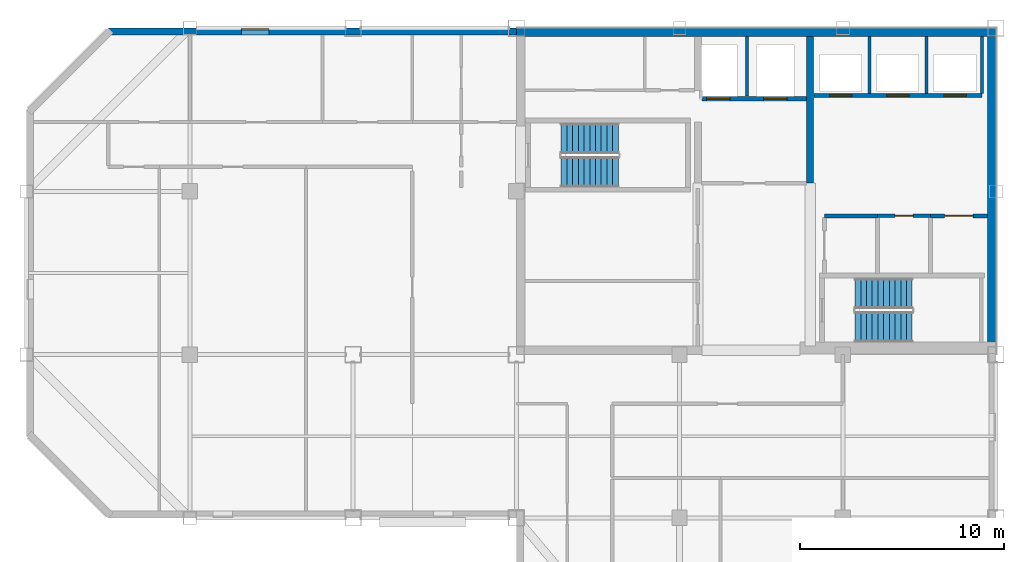
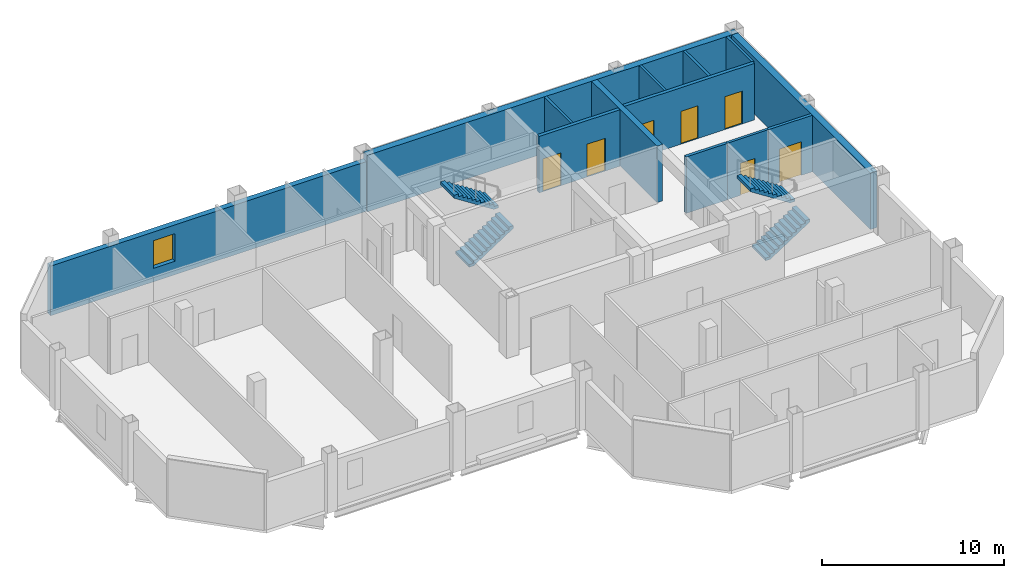
# One storey, part 4 of 7: 13 walls, 7 doors, 4 stair flights, 1 window, 8 openings, 2 elements without a shape of their own.
"""IFC4 building model written with IfcOpenShell, lengths in metres."""

from ifc_helpers import new_model, si_unit, direction, frame, frame_2d, origin, place, context, subcontext, project, spatial, polyline, rectangle, outline, extrude, material, layer, layer_set, type_object, element, fill, aggregate, save


model = new_model("IFC4")

# Units and contexts
model_context = context("Model", 3, precision=1e-05, world=origin(), true_north=direction((0.0, 1.0)))
body_context = subcontext(model_context, "Body", "Model", "MODEL_VIEW")
ifc_project = project(units=[si_unit("LENGTHUNIT", "METRE"), si_unit("AREAUNIT", "SQUARE_METRE"), si_unit("VOLUMEUNIT", "CUBIC_METRE"), si_unit("PLANEANGLEUNIT", "RADIAN"), si_unit("MASSUNIT", "GRAM", prefix="KILO")], contexts=[model_context])

# Site, building, storey
site_placement = place(None, origin())
site = spatial("IfcSite", under=ifc_project, at=site_placement, CompositionType="ELEMENT")
building_placement = place(site_placement, origin())
building = spatial("IfcBuilding", under=site, at=building_placement, Name="Qianrong Seaharbour Tower", CompositionType="ELEMENT")
storey_placement = place(building_placement, frame((0.0, 0.0, 355.199951171875)))
storey = spatial("IfcBuildingStorey", under=building, at=storey_placement, Name="L86", CompositionType="ELEMENT", Elevation=355.199951171875)

# Walls
ifc_material_1 = material(Name="Concrete C50/60", Category="concrete")
ifc_layer_1 = layer(ifc_material_1, 0.419921875)
ifc_layer_set_1 = layer_set([ifc_layer_1], Name="Concrete C50/60")
wall_type_1 = type_object("IfcWallType", Name="WALL-CORE-420", PredefinedType="SHEAR", material=ifc_layer_set_1)
wall_1_placement = place(storey_placement, frame((40.5, 51.7900390625, 0.0), z_axis=(0.0, 0.0, 1.0), x_axis=(1.0, 0.0, 0.0)))
element("IfcWall", 1, at=wall_1_placement, inside=storey, type_object=wall_type_1, Name="L86 North Core Shear Wall", PredefinedType="SHEAR", context=body_context, shape_type="SweptSolid", body=[
    extrude(rectangle(XDim=23.5, YDim=0.419921875, at=frame_2d((11.75, 0.0))), origin(), (0.0, 0.0, 1.0), 3.78515625),
])
wall_2_placement = place(storey_placement, frame((63.7900390625, 36.320068359375, 0.0), z_axis=(0.0, 0.0, 1.0), x_axis=(0.0, 1.0, 0.0)))
element("IfcWall", 2, at=wall_2_placement, inside=storey, type_object=wall_type_1, Name="L86 East Core Shear Wall", PredefinedType="SHEAR", context=body_context, shape_type="SweptSolid", body=[
    extrude(rectangle(XDim=15.260009765625, YDim=0.419921875, at=frame_2d((7.6298828125, 0.0))), origin(), (0.0, 0.0, 1.0), 3.78515625),
])
ifc_layer_2 = layer(ifc_material_1, 0.35009765625)
ifc_layer_set_2 = layer_set([ifc_layer_2], Name="Concrete C50/60")
wall_type_2 = type_object("IfcWallType", Name="WALL-CORE-INT-350", PredefinedType="SHEAR", material=ifc_layer_set_2)
wall_3_placement = place(storey_placement, frame((54.89990234375, 44.39990234375, 0.0), z_axis=(0.0, 0.0, 1.0), x_axis=(0.0, 1.0, 0.0)))
element("IfcWall", 3, at=wall_3_placement, inside=storey, type_object=wall_type_2, Name="L86 Internal Core Shear Wall IW2N", PredefinedType="SHEAR", context=body_context, shape_type="SweptSolid", body=[
    extrude(rectangle(XDim=7.18017578125, YDim=0.35009765625, at=frame_2d((3.590087890625, 0.0))), origin(), (0.0, 0.0, 1.0), 3.78515625),
])

# Wall, opening, door
ifc_material_2 = material(Name="Fire-rated acoustic gypsum board partition")
ifc_layer_3 = layer(ifc_material_2, 0.1650390625)
ifc_layer_set_3 = layer_set([ifc_layer_3], Name="Fire-rated acoustic gypsum board partition")
wall_type_3 = type_object("IfcWallType", Name="WALL-CORR-PART-165", PredefinedType="PARTITIONING", material=ifc_layer_set_3)
wall_4_placement = place(storey_placement, frame((60.800048828125, 42.800048828125, 0.0), z_axis=(0.0, 0.0, 1.0), x_axis=(-1.0, 0.0, 0.0)))
wall_4 = element("IfcWall", 4, at=wall_4_placement, inside=storey, type_object=wall_type_3, Name="L86 Interior Partition Wall 015", PredefinedType="PARTITIONING", context=body_context, shape_type="SweptSolid", body=[
    extrude(rectangle(XDim=2.60009765625, YDim=0.1650390625, at=frame_2d((1.300048828125, 0.0))), origin(), (0.0, 0.0, 1.0), 3.78515625),
])
opening_1_placement = place(wall_4_placement, frame((0.85009765625, 0.0, 0.0)))
opening_1 = element("IfcOpeningElement", 5, at=opening_1_placement, cuts=wall_4, Name="Opening DS-01", PredefinedType="OPENING", context=body_context, shape_type="SweptSolid", body=[
    extrude(rectangle(XDim=0.89990234375, YDim=2.14990234375, at=frame_2d((0.449951171875, 1.074951171875))), frame((0.0, 0.092529296875, 0.0), z_axis=(0.0, -1.0, 0.0), x_axis=(1.0, 0.0, 0.0)), (0.0, 0.0, 1.0), 0.18505859375),
])
ifc_material_3 = material(Name="Acoustic timber and galvanized steel fire door assembly", Category="steel")
door_type_1 = type_object("IfcDoorType", Name="DOOR-STORE-900x2150", OperationType="NOTDEFINED", PredefinedType="DOOR", material=ifc_material_3)
door_1_placement = place(opening_1_placement, origin())
door_1 = element("IfcDoor", 6, at=door_1_placement, inside=storey, type_object=door_type_1, Name="L86 Supply Store Room Door", OperationType="SINGLE_SWING_LEFT", OverallHeight=2.14990234375, OverallWidth=0.89990234375, PredefinedType="DOOR", context=body_context, shape_type="SweptSolid", body=[
    extrude(rectangle(XDim=0.89990234375, YDim=2.14990234375, at=frame_2d((0.449951171875, 1.074951171875))), frame((0.0, 0.02490234375, 0.0), z_axis=(0.0, -1.0, 0.0), x_axis=(1.0, 0.0, 0.0)), (0.0, 0.0, 1.0), 0.050048828125),
])
fill(opening_1, door_1)

# Wall, opening, window
ifc_material_4 = material(Name="Unitised buff brick on Precast concrete C45/55", Category="masonry")
ifc_layer_4 = layer(ifc_material_4, 0.340087890625)
ifc_layer_set_4 = layer_set([ifc_layer_4], Name="Unitised buff brick on Precast concrete C45/55")
wall_type_4 = type_object("IfcWallType", Name="WALL-EXT-BRICK-BUFF-340", PredefinedType="SOLIDWALL", material=ifc_layer_set_4)
wall_5_placement = place(storey_placement, frame((20.5, 51.830078125, 0.0), z_axis=(0.0, 0.0, 1.0), x_axis=(1.0, 0.0, 0.0)))
wall_5 = element("IfcWall", 7, at=wall_5_placement, inside=storey, type_object=wall_type_4, Name="L86 Exterior Masonry Facade Wall NORTH_WING", PredefinedType="SOLIDWALL", context=body_context, shape_type="SweptSolid", body=[
    extrude(rectangle(XDim=20.02001953125, YDim=0.340087890625, at=frame_2d((10.010009765625, 0.0))), origin(), (0.0, 0.0, 1.0), 3.3349609375),
])
opening_2_placement = place(wall_5_placement, frame((6.52490234375, 0.0, 0.89990234375)))
opening_2 = element("IfcOpeningElement", 8, at=opening_2_placement, cuts=wall_5, Name="Opening WN-02", PredefinedType="OPENING", context=body_context, shape_type="SweptSolid", body=[
    extrude(rectangle(XDim=1.35009765625, YDim=1.85009765625, at=frame_2d((0.675048828125, 0.925048828125))), frame((0.0, 0.18017578125, 0.0), z_axis=(0.0, -1.0, 0.0), x_axis=(1.0, 0.0, 0.0)), (0.0, 0.0, 1.0), 0.360107421875),
])
ifc_material_5 = material(Name="Insulated low-e double glazing in thermally broken aluminium 6063-T6 frame", Category="aluminium")
window_type = type_object("IfcWindowType", Name="WIN-PUNCH-1350x1850", PartitioningType="DOUBLE_PANEL_VERTICAL", PredefinedType="WINDOW", material=ifc_material_5)
window_placement = place(opening_2_placement, origin())
window = element("IfcWindow", 9, at=window_placement, inside=storey, type_object=window_type, Name="L86 Deep-Set Punched Window 05.02", OverallHeight=1.85009765625, OverallWidth=1.35009765625, PartitioningType="DOUBLE_PANEL_VERTICAL", PredefinedType="WINDOW", context=body_context, shape_type="SweptSolid", body=[
    extrude(rectangle(XDim=1.35009765625, YDim=1.85009765625, at=frame_2d((0.675048828125, 0.925048828125))), frame((0.0, 0.150146484375, 0.0), z_axis=(0.0, -1.0, 0.0), x_axis=(1.0, 0.0, 0.0)), (0.0, 0.0, 1.0), 0.06005859375),
])
fill(opening_2, window)

# Wall
ifc_material_6 = material(Name="Double fire-rated gypsum board acoustic partition")
ifc_layer_5 = layer(ifc_material_6, 0.18994140625)
ifc_layer_set_5 = layer_set([ifc_layer_5], Name="Double fire-rated gypsum board acoustic partition")
wall_type_5 = type_object("IfcWallType", Name="WALL-FIRE-PART-190", PredefinedType="PARTITIONING", material=ifc_layer_set_5)
wall_6_placement = place(storey_placement, frame((58.199951171875, 42.800048828125, 0.0), z_axis=(0.0, 0.0, 1.0), x_axis=(-1.0, 0.0, 0.0)))
element("IfcWall", 10, at=wall_6_placement, inside=storey, type_object=wall_type_5, Name="L86 Interior Partition Wall 014", PredefinedType="PARTITIONING", context=body_context, shape_type="SweptSolid", body=[
    extrude(rectangle(XDim=2.599853515625, YDim=0.18994140625, at=frame_2d((1.2998046875, 0.0))), origin(), (0.0, 0.0, 1.0), 3.78515625),
])

# Wall, opening, door
wall_7_placement = place(storey_placement, frame((63.580078125, 42.800048828125, 0.0), z_axis=(0.0, 0.0, 1.0), x_axis=(-1.0, 0.0, 0.0)))
wall_7 = element("IfcWall", 11, at=wall_7_placement, inside=storey, type_object=wall_type_5, Name="L86 Interior Partition Wall 016", PredefinedType="PARTITIONING", context=body_context, shape_type="SweptSolid", body=[
    extrude(rectangle(XDim=2.780029296875, YDim=0.18994140625, at=frame_2d((1.39013671875, 0.0))), origin(), (0.0, 0.0, 1.0), 3.78515625),
])
opening_3_placement = place(wall_7_placement, frame((0.68994140625, 0.0, 0.0)))
opening_3 = element("IfcOpeningElement", 12, at=opening_3_placement, cuts=wall_7, Name="Opening DP-01", PredefinedType="OPENING", context=body_context, shape_type="SweptSolid", body=[
    extrude(rectangle(XDim=1.39990234375, YDim=2.25, at=frame_2d((0.699951171875, 1.125))), frame((0.0, 0.10498046875, 0.0), z_axis=(0.0, -1.0, 0.0), x_axis=(1.0, 0.0, 0.0)), (0.0, 0.0, 1.0), 0.2099609375),
])
door_type_2 = type_object("IfcDoorType", Name="DOOR-PLANT-PAIR-1400x2250", OperationType="DOUBLE_DOOR_SINGLE_SWING", PredefinedType="DOOR", material=ifc_material_3)
door_2_placement = place(opening_3_placement, origin())
door_2 = element("IfcDoor", 13, at=door_2_placement, inside=storey, type_object=door_type_2, Name="L86 Building Metering Room Door", OperationType="DOUBLE_DOOR_SINGLE_SWING", OverallHeight=2.25, OverallWidth=1.39990234375, PredefinedType="DOOR", context=body_context, shape_type="SweptSolid", body=[
    extrude(rectangle(XDim=1.39990234375, YDim=2.25, at=frame_2d((0.699951171875, 1.125))), frame((0.0, 0.02490234375, 0.0), z_axis=(0.0, -1.0, 0.0), x_axis=(1.0, 0.0, 0.0)), (0.0, 0.0, 1.0), 0.050048828125),
])
fill(opening_3, door_2)

# Walls
ifc_material_7 = material(Name="Fire-rated gypsum board on steel studs", Category="steel")
ifc_layer_6 = layer(ifc_material_7, 0.14990234375)
ifc_layer_set_6 = layer_set([ifc_layer_6], Name="Fire-rated gypsum board on steel studs")
wall_type_6 = type_object("IfcWallType", Name="WALL-SHAFT-DIV-150", PredefinedType="PARTITIONING", material=ifc_layer_set_6)
wall_8_placement = place(storey_placement, frame((51.800048828125, 48.669921875, 0.0), z_axis=(0.0, 0.0, 1.0), x_axis=(0.0, 1.0, 0.0)))
element("IfcWall", 14, at=wall_8_placement, inside=storey, type_object=wall_type_6, Name="L86 Firefighting Lift Shaft Divider Wall", PredefinedType="PARTITIONING", context=body_context, shape_type="SweptSolid", body=[
    extrude(rectangle(XDim=2.91015625, YDim=0.14990234375, at=frame_2d((1.455078125, 0.0))), origin(), (0.0, 0.0, 1.0), 3.78515625),
])
for number, where, z_axis, x_axis, name in (
    (15, (57.800048828125, 48.81005859375, 0.0), (0.0, 0.0, 1.0), (0.0, 1.0, 0.0), "L86 P4 Lift Hoistway Divider 2"),
    (16, (60.60009765625, 48.81005859375, 0.0), (0.0, 0.0, 1.0), (0.0, 1.0, 0.0), "L86 P4 Lift Hoistway Divider 3"),
    (17, (63.320068359375, 48.81005859375, 0.0), (0.0, 0.0, 1.0), (0.0, 1.0, 0.0), "L86 P4 Lift Hoistway Divider 4"),
):
    element("IfcWall", number, at=place(storey_placement, frame(where, z_axis=z_axis, x_axis=x_axis)), inside=storey, type_object=wall_type_6, Name=name, PredefinedType="PARTITIONING", context=body_context, shape_type="SweptSolid", body=[
        extrude(rectangle(XDim=2.77001953125, YDim=0.14990234375, at=frame_2d((1.385009765625, 0.0))), origin(), (0.0, 0.0, 1.0), 3.78515625),
    ])

# Wall, openings, doors
ifc_layer_7 = layer(ifc_material_7, 0.219970703125)
ifc_layer_set_7 = layer_set([ifc_layer_7], Name="Fire-rated gypsum board on steel studs")
wall_type_7 = type_object("IfcWallType", Name="WALL-SHAFT-GYP220", PredefinedType="PARTITIONING", material=ifc_layer_set_7)
wall_9_placement = place(storey_placement, frame((54.7099609375, 48.550048828125, 0.0), z_axis=(0.0, 0.0, 1.0), x_axis=(-1.0, 0.0, 0.0)))
wall_9 = element("IfcWall", 18, at=wall_9_placement, inside=storey, type_object=wall_type_7, Name="L86 Firefighting Lift Shaft Front Wall", PredefinedType="PARTITIONING", context=body_context, shape_type="SweptSolid", body=[
    extrude(rectangle(XDim=5.119873046875, YDim=0.219970703125, at=frame_2d((2.56005859375, 0.0))), origin(), (0.0, 0.0, 1.0), 3.78515625),
])
opening_4_placement = place(wall_9_placement, frame((3.735107421875, 0.0, 0.0)))
opening_4 = element("IfcOpeningElement", 19, at=opening_4_placement, cuts=wall_9, Name="Opening LD-01", PredefinedType="OPENING", context=body_context, shape_type="SweptSolid", body=[
    extrude(rectangle(XDim=1.14990234375, YDim=2.199951171875, at=frame_2d((0.574951171875, 1.10009765625))), frame((0.0, 0.1201171875, 0.0), z_axis=(0.0, -1.0, 0.0), x_axis=(1.0, 0.0, 0.0)), (0.0, 0.0, 1.0), 0.239990234375),
])
opening_5_placement = place(wall_9_placement, frame((0.93505859375, 0.0, 0.0)))
opening_5 = element("IfcOpeningElement", 20, at=opening_5_placement, cuts=wall_9, Name="Opening LD-01", PredefinedType="OPENING", context=body_context, shape_type="SweptSolid", body=[
    extrude(rectangle(XDim=1.14990234375, YDim=2.199951171875, at=frame_2d((0.574951171875, 1.10009765625))), frame((0.0, 0.1201171875, 0.0), z_axis=(0.0, -1.0, 0.0), x_axis=(1.0, 0.0, 0.0)), (0.0, 0.0, 1.0), 0.239990234375),
])
ifc_material_8 = material(Name="Stainless steel SUS316L bi-parting lift landing door", Category="steel")
door_type_3 = type_object("IfcDoorType", Name="DOOR-LIFT-FF-1150x2200", OperationType="DOUBLE_DOOR_SLIDING", PredefinedType="DOOR", material=ifc_material_8)
door_3_placement = place(opening_4_placement, origin())
door_3 = element("IfcDoor", 21, at=door_3_placement, inside=storey, type_object=door_type_3, Name="L86 FL-1 Firefighting Lift Landing Door", OperationType="DOUBLE_DOOR_SLIDING", OverallHeight=2.199951171875, OverallWidth=1.14990234375, PredefinedType="DOOR", context=body_context, shape_type="SweptSolid", body=[
    extrude(rectangle(XDim=1.14990234375, YDim=2.199951171875, at=frame_2d((0.574951171875, 1.10009765625))), frame((0.0, 0.02490234375, 0.0), z_axis=(0.0, -1.0, 0.0), x_axis=(1.0, 0.0, 0.0)), (0.0, 0.0, 1.0), 0.050048828125),
])
fill(opening_4, door_3)
door_4_placement = place(opening_5_placement, origin())
door_4 = element("IfcDoor", 22, at=door_4_placement, inside=storey, type_object=door_type_3, Name="L86 FL-2 Firefighting Lift Landing Door", OperationType="DOUBLE_DOOR_SLIDING", OverallHeight=2.199951171875, OverallWidth=1.14990234375, PredefinedType="DOOR", context=body_context, shape_type="SweptSolid", body=[
    extrude(rectangle(XDim=1.14990234375, YDim=2.199951171875, at=frame_2d((0.574951171875, 1.10009765625))), frame((0.0, 0.02490234375, 0.0), z_axis=(0.0, -1.0, 0.0), x_axis=(1.0, 0.0, 0.0)), (0.0, 0.0, 1.0), 0.050048828125),
])
fill(opening_5, door_4)

wall_10_placement = place(storey_placement, frame((63.320068359375, 48.699951171875, 0.0), z_axis=(0.0, 0.0, 1.0), x_axis=(-1.0, 0.0, 0.0)))
wall_10 = element("IfcWall", 23, at=wall_10_placement, inside=storey, type_object=wall_type_7, Name="L86 P4 Lift Hoistway Front Wall", PredefinedType="PARTITIONING", context=body_context, shape_type="SweptSolid", body=[
    extrude(rectangle(XDim=8.239990234375, YDim=0.219970703125, at=frame_2d((4.1201171875, 0.0))), origin(), (0.0, 0.0, 1.0), 3.78515625),
])
opening_6_placement = place(wall_10_placement, frame((6.3701171875, 0.0, 0.0)))
opening_6 = element("IfcOpeningElement", 24, at=opening_6_placement, cuts=wall_10, Name="Opening LD-02", PredefinedType="OPENING", context=body_context, shape_type="SweptSolid", body=[
    extrude(rectangle(XDim=1.10009765625, YDim=2.199951171875, at=frame_2d((0.550048828125, 1.10009765625))), frame((0.0, 0.1201171875, 0.0), z_axis=(0.0, -1.0, 0.0), x_axis=(1.0, 0.0, 0.0)), (0.0, 0.0, 1.0), 0.239990234375),
])
opening_7_placement = place(wall_10_placement, frame((3.570068359375, 0.0, 0.0)))
opening_7 = element("IfcOpeningElement", 25, at=opening_7_placement, cuts=wall_10, Name="Opening LD-02", PredefinedType="OPENING", context=body_context, shape_type="SweptSolid", body=[
    extrude(rectangle(XDim=1.10009765625, YDim=2.199951171875, at=frame_2d((0.550048828125, 1.10009765625))), frame((0.0, 0.1201171875, 0.0), z_axis=(0.0, -1.0, 0.0), x_axis=(1.0, 0.0, 0.0)), (0.0, 0.0, 1.0), 0.239990234375),
])
opening_8_placement = place(wall_10_placement, frame((0.77001953125, 0.0, 0.0)))
opening_8 = element("IfcOpeningElement", 26, at=opening_8_placement, cuts=wall_10, Name="Opening LD-02", PredefinedType="OPENING", context=body_context, shape_type="SweptSolid", body=[
    extrude(rectangle(XDim=1.10009765625, YDim=2.199951171875, at=frame_2d((0.550048828125, 1.10009765625))), frame((0.0, 0.1201171875, 0.0), z_axis=(0.0, -1.0, 0.0), x_axis=(1.0, 0.0, 0.0)), (0.0, 0.0, 1.0), 0.239990234375),
])
door_type_4 = type_object("IfcDoorType", Name="DOOR-LIFT-PASS-1100x2200", OperationType="DOUBLE_DOOR_SLIDING", PredefinedType="DOOR", material=ifc_material_8)
door_5_placement = place(opening_6_placement, origin())
door_5 = element("IfcDoor", 27, at=door_5_placement, inside=storey, type_object=door_type_4, Name="L86 PL-4A Lift Landing Door", OperationType="DOUBLE_DOOR_SLIDING", OverallHeight=2.199951171875, OverallWidth=1.10009765625, PredefinedType="DOOR", context=body_context, shape_type="SweptSolid", body=[
    extrude(rectangle(XDim=1.10009765625, YDim=2.199951171875, at=frame_2d((0.550048828125, 1.10009765625))), frame((0.0, 0.02490234375, 0.0), z_axis=(0.0, -1.0, 0.0), x_axis=(1.0, 0.0, 0.0)), (0.0, 0.0, 1.0), 0.050048828125),
])
fill(opening_6, door_5)
door_6_placement = place(opening_7_placement, origin())
door_6 = element("IfcDoor", 28, at=door_6_placement, inside=storey, type_object=door_type_4, Name="L86 PL-4B Lift Landing Door", OperationType="DOUBLE_DOOR_SLIDING", OverallHeight=2.199951171875, OverallWidth=1.10009765625, PredefinedType="DOOR", context=body_context, shape_type="SweptSolid", body=[
    extrude(rectangle(XDim=1.10009765625, YDim=2.199951171875, at=frame_2d((0.550048828125, 1.10009765625))), frame((0.0, 0.02490234375, 0.0), z_axis=(0.0, -1.0, 0.0), x_axis=(1.0, 0.0, 0.0)), (0.0, 0.0, 1.0), 0.050048828125),
])
fill(opening_7, door_6)
door_7_placement = place(opening_8_placement, origin())
door_7 = element("IfcDoor", 29, at=door_7_placement, inside=storey, type_object=door_type_4, Name="L86 PL-4C Lift Landing Door", OperationType="DOUBLE_DOOR_SLIDING", OverallHeight=2.199951171875, OverallWidth=1.10009765625, PredefinedType="DOOR", context=body_context, shape_type="SweptSolid", body=[
    extrude(rectangle(XDim=1.10009765625, YDim=2.199951171875, at=frame_2d((0.550048828125, 1.10009765625))), frame((0.0, 0.02490234375, 0.0), z_axis=(0.0, -1.0, 0.0), x_axis=(1.0, 0.0, 0.0)), (0.0, 0.0, 1.0), 0.050048828125),
])
fill(opening_8, door_7)

# Stair, stair flights
stair_type = type_object("IfcStairType", Name="STAIR-DOGLEG-1500-R22", PredefinedType="HALF_TURN_STAIR", material=ifc_material_1)
stair_1_placement = place(storey_placement, origin())
stair_1 = element("IfcStair", 30, at=stair_1_placement, inside=storey, type_object=stair_type, Name="L86 Protected Escape Stair ST-1", PredefinedType="HALF_TURN_STAIR")
stair_flight_type = type_object("IfcStairFlightType", Name="FLIGHT-STR-1500-R22", PredefinedType="STRAIGHT", material=ifc_material_1)
stair_flight_1_placement = place(storey_placement, frame((42.699951171875, 44.949951171875, 0.0), z_axis=(0.0, 0.0, 1.0), x_axis=(1.0, 0.0, 0.0)))
stair_flight_1 = element("IfcStairFlight", 31, at=stair_flight_1_placement, type_object=stair_flight_type, Name="ST-1 flight 1", NumberOfRisers=11, NumberOfTreads=10, PredefinedType="STRAIGHT", RiserHeight=0.181818182, TreadLength=0.28, context=body_context, shape_type="SweptSolid", body=[
    extrude(outline(polyline([(0.0, 0.0), (0.0, 0.181884765625), (0.280029296875, 0.181884765625), (0.280029296875, 0.363525390625), (0.56005859375, 0.363525390625), (0.56005859375, 0.54541015625), (0.840087890625, 0.54541015625), (0.840087890625, 0.727294921875), (1.1201171875, 0.727294921875), (1.1201171875, 0.9091796875), (1.39990234375, 0.9091796875), (1.39990234375, 1.0908203125), (1.679931640625, 1.0908203125), (1.679931640625, 1.272705078125), (1.9599609375, 1.272705078125), (1.9599609375, 1.45458984375), (2.239990234375, 1.45458984375), (2.239990234375, 1.636474609375), (2.52001953125, 1.636474609375), (2.52001953125, 1.818115234375), (2.800048828125, 1.818115234375), (2.800048828125, 2.0), (2.800048828125, 1.62744140625), (0.293701171875, 0.0), (0.0, 0.0)])), frame((0.0, 0.75, 0.0), z_axis=(0.0, -1.0, 0.0), x_axis=(1.0, 0.0, 0.0)), (0.0, 0.0, 1.0), 1.5),
])
stair_flight_2_placement = place(storey_placement, frame((45.5, 46.60009765625, 2.0), z_axis=(0.0, 0.0, 1.0), x_axis=(-1.0, 0.0, 0.0)))
stair_flight_2 = element("IfcStairFlight", 32, at=stair_flight_2_placement, type_object=stair_flight_type, Name="ST-1 flight 2", NumberOfRisers=11, NumberOfTreads=10, PredefinedType="STRAIGHT", RiserHeight=0.181818182, TreadLength=0.28, context=body_context, shape_type="SweptSolid", body=[
    extrude(outline(polyline([(0.0, 0.0), (0.0, 0.181884765625), (0.280029296875, 0.181884765625), (0.280029296875, 0.363525390625), (0.56005859375, 0.363525390625), (0.56005859375, 0.54541015625), (0.840087890625, 0.54541015625), (0.840087890625, 0.727294921875), (1.1201171875, 0.727294921875), (1.1201171875, 0.9091796875), (1.39990234375, 0.9091796875), (1.39990234375, 1.0908203125), (1.679931640625, 1.0908203125), (1.679931640625, 1.272705078125), (1.9599609375, 1.272705078125), (1.9599609375, 1.45458984375), (2.239990234375, 1.45458984375), (2.239990234375, 1.636474609375), (2.52001953125, 1.636474609375), (2.52001953125, 1.818115234375), (2.800048828125, 1.818115234375), (2.800048828125, 2.0), (2.800048828125, 1.62744140625), (0.293701171875, 0.0), (0.0, 0.0)])), frame((0.0, 0.75, 0.0), z_axis=(0.0, -1.0, 0.0), x_axis=(1.0, 0.0, 0.0)), (0.0, 0.0, 1.0), 1.5),
])
aggregate(stair_1, [stair_flight_1, stair_flight_2])

stair_2_placement = place(storey_placement, origin())
stair_2 = element("IfcStair", 33, at=stair_2_placement, inside=storey, type_object=stair_type, Name="L86 Protected Escape Stair ST-2", PredefinedType="HALF_TURN_STAIR")
stair_flight_3_placement = place(storey_placement, frame((57.10009765625, 37.35009765625, 0.0), z_axis=(0.0, 0.0, 1.0), x_axis=(1.0, 0.0, 0.0)))
stair_flight_3 = element("IfcStairFlight", 34, at=stair_flight_3_placement, type_object=stair_flight_type, Name="ST-2 flight 1", NumberOfRisers=11, NumberOfTreads=10, PredefinedType="STRAIGHT", RiserHeight=0.181818182, TreadLength=0.28, context=body_context, shape_type="SweptSolid", body=[
    extrude(outline(polyline([(0.0, 0.0), (0.0, 0.181884765625), (0.280029296875, 0.181884765625), (0.280029296875, 0.363525390625), (0.56005859375, 0.363525390625), (0.56005859375, 0.54541015625), (0.840087890625, 0.54541015625), (0.840087890625, 0.727294921875), (1.1201171875, 0.727294921875), (1.1201171875, 0.9091796875), (1.39990234375, 0.9091796875), (1.39990234375, 1.0908203125), (1.679931640625, 1.0908203125), (1.679931640625, 1.272705078125), (1.9599609375, 1.272705078125), (1.9599609375, 1.45458984375), (2.239990234375, 1.45458984375), (2.239990234375, 1.636474609375), (2.52001953125, 1.636474609375), (2.52001953125, 1.818115234375), (2.800048828125, 1.818115234375), (2.800048828125, 2.0), (2.800048828125, 1.62744140625), (0.293701171875, 0.0), (0.0, 0.0)])), frame((0.0, 0.75, 0.0), z_axis=(0.0, -1.0, 0.0), x_axis=(1.0, 0.0, 0.0)), (0.0, 0.0, 1.0), 1.5),
])
stair_flight_4_placement = place(storey_placement, frame((59.89990234375, 39.0, 2.0), z_axis=(0.0, 0.0, 1.0), x_axis=(-1.0, 0.0, 0.0)))
stair_flight_4 = element("IfcStairFlight", 35, at=stair_flight_4_placement, type_object=stair_flight_type, Name="ST-2 flight 2", NumberOfRisers=11, NumberOfTreads=10, PredefinedType="STRAIGHT", RiserHeight=0.181818182, TreadLength=0.28, context=body_context, shape_type="SweptSolid", body=[
    extrude(outline(polyline([(0.0, 0.0), (0.0, 0.181884765625), (0.280029296875, 0.181884765625), (0.280029296875, 0.363525390625), (0.56005859375, 0.363525390625), (0.56005859375, 0.54541015625), (0.840087890625, 0.54541015625), (0.840087890625, 0.727294921875), (1.1201171875, 0.727294921875), (1.1201171875, 0.9091796875), (1.39990234375, 0.9091796875), (1.39990234375, 1.0908203125), (1.679931640625, 1.0908203125), (1.679931640625, 1.272705078125), (1.9599609375, 1.272705078125), (1.9599609375, 1.45458984375), (2.239990234375, 1.45458984375), (2.239990234375, 1.636474609375), (2.52001953125, 1.636474609375), (2.52001953125, 1.818115234375), (2.800048828125, 1.818115234375), (2.800048828125, 2.0), (2.800048828125, 1.62744140625), (0.293701171875, 0.0), (0.0, 0.0)])), frame((0.0, 0.75, 0.0), z_axis=(0.0, -1.0, 0.0), x_axis=(1.0, 0.0, 0.0)), (0.0, 0.0, 1.0), 1.5),
])
aggregate(stair_2, [stair_flight_3, stair_flight_4])

save(model, "model.ifc")
